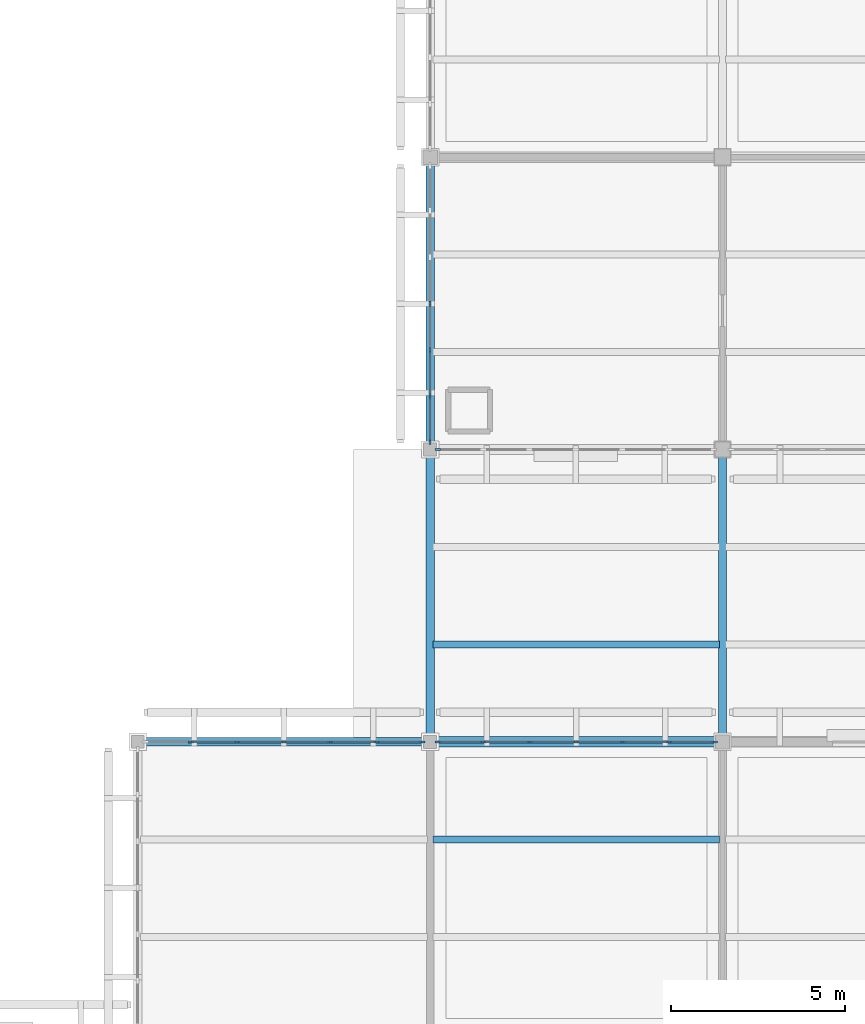
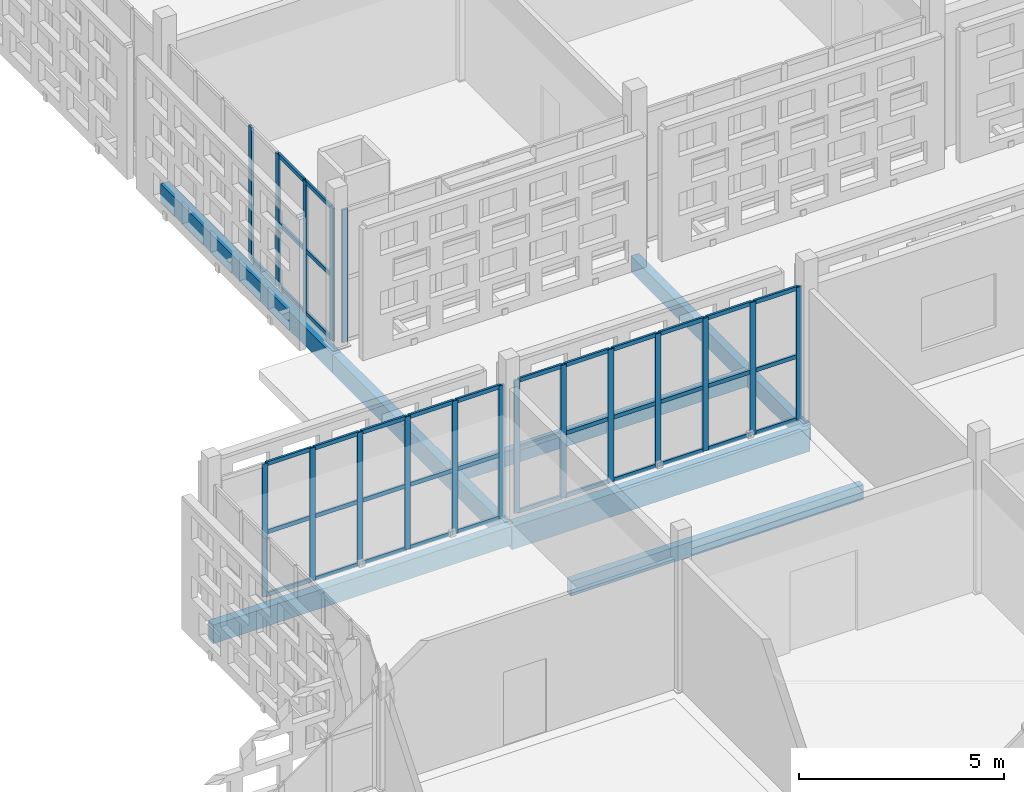
# One storey, part 72 of 203: 58 members, 7 beams, 4 elements without a shape of their own.
"""IFC4 building model written with IfcOpenShell, lengths in metres."""

from ifc_helpers import new_model, si_unit, direction, frame, origin, origin_2d, place, context, subcontext, project, spatial, rectangle, extrude, material, layer, layer_set, material_profile, profile_set, type_object, element, aggregate, save


model = new_model("IFC4")

# Units and contexts
model_context = context("Model", 3, precision=1e-05, world=origin(), true_north=direction((0.0, 1.0)))
body_context = subcontext(model_context, "Body", "Model", "MODEL_VIEW")
ifc_project = project(units=[si_unit("LENGTHUNIT", "METRE"), si_unit("AREAUNIT", "SQUARE_METRE"), si_unit("VOLUMEUNIT", "CUBIC_METRE"), si_unit("PLANEANGLEUNIT", "RADIAN"), si_unit("MASSUNIT", "GRAM", prefix="KILO")], contexts=[model_context])

# Site, building, storey
site_placement = place(None, origin())
site = spatial("IfcSite", under=ifc_project, at=site_placement, CompositionType="ELEMENT")
building_placement = place(site_placement, origin())
building = spatial("IfcBuilding", under=site, at=building_placement, Name="Varnapada Polytechnic", CompositionType="ELEMENT")
storey_placement = place(building_placement, frame((0.0, 0.0, 4.800048828125)))
storey = spatial("IfcBuildingStorey", under=building, at=storey_placement, Name="L01", CompositionType="ELEMENT", Elevation=4.800048828125)

# Beams
ifc_material_1 = material(Name="Glulam GL32h", Category="wood")
ifc_material_profile_1 = material_profile(ifc_material_1, rectangle(XDim=0.199951171875, YDim=0.43994140625, at=origin_2d()), Name="GL 200x440")
ifc_profile_set_1 = profile_set([ifc_material_profile_1], Name="Glulam GL32h")
beam_type_1 = type_object("IfcBeamType", Name="Heavy laboratory glulam joist GJ-03 (GL 200x440)", PredefinedType="JOIST", material=ifc_profile_set_1)
for number, where, z_axis, x_axis, name in (
    (1, (134.47998046875, 47.60009765625, -0.469970703125), (1.0, 0.0, 0.0), (0.0, 1.0, 0.0), "L01 floor joist 17/6.2"),
    (2, (134.47998046875, 53.199951171875, -0.489990234375), (1.0, 0.0, 0.0), (0.0, 1.0, 0.0), "L01 floor joist 17/7.1"),
):
    element("IfcBeam", number, at=place(storey_placement, frame(where, z_axis=z_axis, x_axis=x_axis)), inside=storey, type_object=beam_type_1, Name=name, PredefinedType="JOIST", context=body_context, shape_type="SweptSolid", body=[
        extrude(rectangle(XDim=0.199951171875, YDim=0.43994140625, at=origin_2d()), origin(), (0.0, 0.0, 1.0), 8.239990234375),
    ])

# Curtain wall, members
ifc_material_2 = material(Name="Double low-E laminated glass", Category="glass")
ifc_layer = layer(ifc_material_2, 0.159912109375)
ifc_layer_set = layer_set([ifc_layer], Name="Double low-E laminated glass")
curtain_wall_type = type_object("IfcCurtainWallType", Name="Curtain Wall CW-01", PredefinedType="NOTDEFINED", material=ifc_layer_set)
curtain_wall_1_placement = place(storey_placement, origin())
curtain_wall_1 = element("IfcCurtainWall", 3, at=curtain_wall_1_placement, inside=storey, type_object=curtain_wall_type, Name="L01 unitised curtain wall CW-01 (94)", PredefinedType="NOTDEFINED")
ifc_material_3 = material(Name="Anodised aluminium", Category="aluminium")
ifc_material_profile_2 = material_profile(ifc_material_3, rectangle(XDim=0.06005859375, YDim=0.159912109375, at=origin_2d()), Name="ALU M60x160")
ifc_profile_set_2 = profile_set([ifc_material_profile_2], Name="Anodised aluminium")
member_type_1 = type_object("IfcMemberType", Name="Mullion M-01", PredefinedType="MULLION", material=ifc_profile_set_2)
member_1_placement = place(storey_placement, frame((127.518310546875, 50.39990234375, 0.0), z_axis=(0.0, 0.0, 1.0), x_axis=(0.0, 1.0, 0.0)))
member_1 = element("IfcMember", 4, at=member_1_placement, type_object=member_type_1, Name="CW-01 mullion 2", PredefinedType="MULLION", context=body_context, shape_type="SweptSolid", body=[
    extrude(rectangle(XDim=0.06005859375, YDim=0.159912109375, at=origin_2d()), origin(), (0.0, 0.0, 1.0), 3.9599609375),
])
member_2_placement = place(storey_placement, frame((128.856689453125, 50.39990234375, 0.0), z_axis=(0.0, 0.0, 1.0), x_axis=(0.0, 1.0, 0.0)))
member_2 = element("IfcMember", 5, at=member_2_placement, type_object=member_type_1, Name="CW-01 mullion 3", PredefinedType="MULLION", context=body_context, shape_type="SweptSolid", body=[
    extrude(rectangle(XDim=0.06005859375, YDim=0.159912109375, at=origin_2d()), origin(), (0.0, 0.0, 1.0), 3.9599609375),
])
member_3_placement = place(storey_placement, frame((130.195068359375, 50.39990234375, 0.0), z_axis=(0.0, 0.0, 1.0), x_axis=(0.0, 1.0, 0.0)))
member_3 = element("IfcMember", 6, at=member_3_placement, type_object=member_type_1, Name="CW-01 mullion 4", PredefinedType="MULLION", context=body_context, shape_type="SweptSolid", body=[
    extrude(rectangle(XDim=0.06005859375, YDim=0.159912109375, at=origin_2d()), origin(), (0.0, 0.0, 1.0), 3.9599609375),
])
member_4_placement = place(storey_placement, frame((131.533447265625, 50.39990234375, 0.0), z_axis=(0.0, 0.0, 1.0), x_axis=(0.0, 1.0, 0.0)))
member_4 = element("IfcMember", 7, at=member_4_placement, type_object=member_type_1, Name="CW-01 mullion 5", PredefinedType="MULLION", context=body_context, shape_type="SweptSolid", body=[
    extrude(rectangle(XDim=0.06005859375, YDim=0.159912109375, at=origin_2d()), origin(), (0.0, 0.0, 1.0), 3.9599609375),
])
member_5_placement = place(storey_placement, frame((132.87158203125, 50.39990234375, 0.0), z_axis=(0.0, 0.0, 1.0), x_axis=(0.0, 1.0, 0.0)))
member_5 = element("IfcMember", 8, at=member_5_placement, type_object=member_type_1, Name="CW-01 mullion 6", PredefinedType="MULLION", context=body_context, shape_type="SweptSolid", body=[
    extrude(rectangle(XDim=0.06005859375, YDim=0.159912109375, at=origin_2d()), origin(), (0.0, 0.0, 1.0), 3.9599609375),
])
member_6_placement = place(storey_placement, frame((134.179931640625, 50.39990234375, 0.0), z_axis=(0.0, 0.0, 1.0), x_axis=(0.0, 1.0, 0.0)))
member_6 = element("IfcMember", 9, at=member_6_placement, type_object=member_type_1, Name="CW-01 mullion 7", PredefinedType="MULLION", context=body_context, shape_type="SweptSolid", body=[
    extrude(rectangle(XDim=0.06005859375, YDim=0.159912109375, at=origin_2d()), origin(), (0.0, 0.0, 1.0), 3.9599609375),
])

curtain_wall_2_placement = place(storey_placement, origin())
curtain_wall_2 = element("IfcCurtainWall", 10, at=curtain_wall_2_placement, inside=storey, type_object=curtain_wall_type, Name="L01 unitised curtain wall CW-01 (100)", PredefinedType="NOTDEFINED")
member_7_placement = place(storey_placement, frame((134.6201171875, 50.39990234375, 0.0), z_axis=(0.0, 0.0, 1.0), x_axis=(0.0, 1.0, 0.0)))
member_7 = element("IfcMember", 11, at=member_7_placement, type_object=member_type_1, Name="CW-01 mullion 1", PredefinedType="MULLION", context=body_context, shape_type="SweptSolid", body=[
    extrude(rectangle(XDim=0.06005859375, YDim=0.159912109375, at=origin_2d()), origin(), (0.0, 0.0, 1.0), 3.9599609375),
])
member_8_placement = place(storey_placement, frame((135.925048828125, 50.39990234375, 0.0), z_axis=(0.0, 0.0, 1.0), x_axis=(0.0, 1.0, 0.0)))
member_8 = element("IfcMember", 12, at=member_8_placement, type_object=member_type_1, Name="CW-01 mullion 2", PredefinedType="MULLION", context=body_context, shape_type="SweptSolid", body=[
    extrude(rectangle(XDim=0.06005859375, YDim=0.159912109375, at=origin_2d()), origin(), (0.0, 0.0, 1.0), 3.9599609375),
])
member_9_placement = place(storey_placement, frame((137.260009765625, 50.39990234375, 0.0), z_axis=(0.0, 0.0, 1.0), x_axis=(0.0, 1.0, 0.0)))
member_9 = element("IfcMember", 13, at=member_9_placement, type_object=member_type_1, Name="CW-01 mullion 3", PredefinedType="MULLION", context=body_context, shape_type="SweptSolid", body=[
    extrude(rectangle(XDim=0.06005859375, YDim=0.159912109375, at=origin_2d()), origin(), (0.0, 0.0, 1.0), 3.9599609375),
])
member_10_placement = place(storey_placement, frame((138.594970703125, 50.39990234375, 0.0), z_axis=(0.0, 0.0, 1.0), x_axis=(0.0, 1.0, 0.0)))
member_10 = element("IfcMember", 14, at=member_10_placement, type_object=member_type_1, Name="CW-01 mullion 4", PredefinedType="MULLION", context=body_context, shape_type="SweptSolid", body=[
    extrude(rectangle(XDim=0.06005859375, YDim=0.159912109375, at=origin_2d()), origin(), (0.0, 0.0, 1.0), 3.9599609375),
])
member_11_placement = place(storey_placement, frame((139.929931640625, 50.39990234375, 0.0), z_axis=(0.0, 0.0, 1.0), x_axis=(0.0, 1.0, 0.0)))
member_11 = element("IfcMember", 15, at=member_11_placement, type_object=member_type_1, Name="CW-01 mullion 5", PredefinedType="MULLION", context=body_context, shape_type="SweptSolid", body=[
    extrude(rectangle(XDim=0.06005859375, YDim=0.159912109375, at=origin_2d()), origin(), (0.0, 0.0, 1.0), 3.9599609375),
])
member_12_placement = place(storey_placement, frame((141.264892578125, 50.39990234375, 0.0), z_axis=(0.0, 0.0, 1.0), x_axis=(0.0, 1.0, 0.0)))
member_12 = element("IfcMember", 16, at=member_12_placement, type_object=member_type_1, Name="CW-01 mullion 6", PredefinedType="MULLION", context=body_context, shape_type="SweptSolid", body=[
    extrude(rectangle(XDim=0.06005859375, YDim=0.159912109375, at=origin_2d()), origin(), (0.0, 0.0, 1.0), 3.9599609375),
])
member_13_placement = place(storey_placement, frame((142.570068359375, 50.39990234375, 0.0), z_axis=(0.0, 0.0, 1.0), x_axis=(0.0, 1.0, 0.0)))
member_13 = element("IfcMember", 17, at=member_13_placement, type_object=member_type_1, Name="CW-01 mullion 7", PredefinedType="MULLION", context=body_context, shape_type="SweptSolid", body=[
    extrude(rectangle(XDim=0.06005859375, YDim=0.159912109375, at=origin_2d()), origin(), (0.0, 0.0, 1.0), 3.9599609375),
])

# Curtain wall, member
curtain_wall_3_placement = place(storey_placement, origin())
curtain_wall_3 = element("IfcCurtainWall", 18, at=curtain_wall_3_placement, inside=storey, type_object=curtain_wall_type, Name="L01 unitised curtain wall CW-01 (101)", PredefinedType="NOTDEFINED")
member_14_placement = place(storey_placement, frame((134.6201171875, 58.800048828125, 0.0), z_axis=(0.0, 0.0, 1.0), x_axis=(0.0, -1.0, 0.0)))
member_14 = element("IfcMember", 19, at=member_14_placement, type_object=member_type_1, Name="CW-01 mullion 7", PredefinedType="MULLION", context=body_context, shape_type="SweptSolid", body=[
    extrude(rectangle(XDim=0.06005859375, YDim=0.159912109375, at=origin_2d()), origin(), (0.0, 0.0, 1.0), 3.9599609375),
])
aggregate(curtain_wall_3, [member_14])

# Curtain wall, members
curtain_wall_4_placement = place(storey_placement, origin())
curtain_wall_4 = element("IfcCurtainWall", 20, at=curtain_wall_4_placement, inside=storey, type_object=curtain_wall_type, Name="L01 unitised curtain wall CW-01 (102)", PredefinedType="NOTDEFINED")
member_15_placement = place(storey_placement, frame((134.39990234375, 59.02001953125, 0.0), z_axis=(0.0, 0.0, 1.0), x_axis=(-1.0, 0.0, 0.0)))
member_15 = element("IfcMember", 21, at=member_15_placement, type_object=member_type_1, Name="CW-01 mullion 1", PredefinedType="MULLION", context=body_context, shape_type="SweptSolid", body=[
    extrude(rectangle(XDim=0.06005859375, YDim=0.159912109375, at=origin_2d()), origin(), (0.0, 0.0, 1.0), 3.9599609375),
])
member_16_placement = place(storey_placement, frame((134.39990234375, 60.3232421875, 0.0), z_axis=(0.0, 0.0, 1.0), x_axis=(-1.0, 0.0, 0.0)))
member_16 = element("IfcMember", 22, at=member_16_placement, type_object=member_type_1, Name="CW-01 mullion 2", PredefinedType="MULLION", context=body_context, shape_type="SweptSolid", body=[
    extrude(rectangle(XDim=0.06005859375, YDim=0.159912109375, at=origin_2d()), origin(), (0.0, 0.0, 1.0), 3.9599609375),
])
member_17_placement = place(storey_placement, frame((134.39990234375, 61.65673828125, 0.0), z_axis=(0.0, 0.0, 1.0), x_axis=(-1.0, 0.0, 0.0)))
member_17 = element("IfcMember", 23, at=member_17_placement, type_object=member_type_1, Name="CW-01 mullion 3", PredefinedType="MULLION", context=body_context, shape_type="SweptSolid", body=[
    extrude(rectangle(XDim=0.06005859375, YDim=0.159912109375, at=origin_2d()), origin(), (0.0, 0.0, 1.0), 3.9599609375),
])
member_18_placement = place(storey_placement, frame((134.39990234375, 62.989990234375, 0.0), z_axis=(0.0, 0.0, 1.0), x_axis=(-1.0, 0.0, 0.0)))
member_18 = element("IfcMember", 24, at=member_18_placement, type_object=member_type_1, Name="CW-01 mullion 4", PredefinedType="MULLION", context=body_context, shape_type="SweptSolid", body=[
    extrude(rectangle(XDim=0.06005859375, YDim=0.159912109375, at=origin_2d()), origin(), (0.0, 0.0, 1.0), 3.9599609375),
])

# Beams
ifc_material_profile_3 = material_profile(ifc_material_1, rectangle(XDim=0.239990234375, YDim=0.56005859375, at=origin_2d()), Name="GL 240x560")
ifc_profile_set_3 = profile_set([ifc_material_profile_3], Name="Glulam GL32h")
beam_type_2 = type_object("IfcBeamType", Name="Perimeter glulam spandrel beam SP-02 (GL 240x560)", PredefinedType="SPANDREL", material=ifc_profile_set_3)
beam_1_placement = place(storey_placement, frame((126.0, 50.39990234375, -0.550048828125), z_axis=(1.0, 0.0, 0.0), x_axis=(0.0, 1.0, 0.0)))
element("IfcBeam", 25, at=beam_1_placement, inside=storey, type_object=beam_type_2, Name="L01 beam X 16-17 at Y7", PredefinedType="SPANDREL", context=body_context, shape_type="SweptSolid", body=[
    extrude(rectangle(XDim=0.239990234375, YDim=0.56005859375, at=origin_2d()), origin(), (0.0, 0.0, 1.0), 8.39990234375),
])
beam_2_placement = place(storey_placement, frame((134.39990234375, 50.39990234375, -0.550048828125), z_axis=(0.0, 1.0, 0.0), x_axis=(-1.0, 0.0, 0.0)))
element("IfcBeam", 26, at=beam_2_placement, inside=storey, type_object=beam_type_2, Name="L01 beam Y 7-8 at X17", PredefinedType="SPANDREL", context=body_context, shape_type="SweptSolid", body=[
    extrude(rectangle(XDim=0.239990234375, YDim=0.56005859375, at=origin_2d()), origin(), (0.0, 0.0, 1.0), 8.400146484375),
])
beam_3_placement = place(storey_placement, frame((134.39990234375, 58.800048828125, -0.550048828125), z_axis=(0.0, 1.0, 0.0), x_axis=(-1.0, 0.0, 0.0)))
element("IfcBeam", 27, at=beam_3_placement, inside=storey, type_object=beam_type_2, Name="L01 beam Y 8-9 at X17", PredefinedType="SPANDREL", context=body_context, shape_type="SweptSolid", body=[
    extrude(rectangle(XDim=0.239990234375, YDim=0.56005859375, at=origin_2d()), origin(), (0.0, 0.0, 1.0), 8.39990234375),
])

# Member
ifc_material_profile_4 = material_profile(ifc_material_3, rectangle(XDim=0.06005859375, YDim=0.1201171875, at=origin_2d()), Name="ALU T60x120")
ifc_profile_set_4 = profile_set([ifc_material_profile_4], Name="Anodised aluminium")
member_type_2 = type_object("IfcMemberType", Name="Transom T-01", PredefinedType="USERDEFINED", material=ifc_profile_set_4)
member_19_placement = place(storey_placement, frame((127.54833984375, 50.39990234375, 0.030029296875), z_axis=(1.0, 0.0, 0.0), x_axis=(0.0, 1.0, 0.0)))
member_19 = element("IfcMember", 28, at=member_19_placement, type_object=member_type_2, Name="CW-01 transom 2.1", ObjectType="TRANSOM", PredefinedType="USERDEFINED", context=body_context, shape_type="SweptSolid", body=[
    extrude(rectangle(XDim=0.06005859375, YDim=0.1201171875, at=origin_2d()), origin(), (0.0, 0.0, 1.0), 1.2783203125),
])

member_20_placement = place(storey_placement, frame((127.54833984375, 50.39990234375, 1.900634765625), z_axis=(1.0, 0.0, 0.0), x_axis=(0.0, 1.0, 0.0)))
member_20 = element("IfcMember", 29, at=member_20_placement, type_object=member_type_2, Name="CW-01 transom 2.2", ObjectType="TRANSOM", PredefinedType="USERDEFINED", context=body_context, shape_type="SweptSolid", body=[
    extrude(rectangle(XDim=0.06005859375, YDim=0.1201171875, at=origin_2d()), origin(), (0.0, 0.0, 1.0), 1.2783203125),
])

member_21_placement = place(storey_placement, frame((127.54833984375, 50.39990234375, 3.929931640625), z_axis=(1.0, 0.0, 0.0), x_axis=(0.0, 1.0, 0.0)))
member_21 = element("IfcMember", 30, at=member_21_placement, type_object=member_type_2, Name="CW-01 transom 2.3", ObjectType="TRANSOM", PredefinedType="USERDEFINED", context=body_context, shape_type="SweptSolid", body=[
    extrude(rectangle(XDim=0.06005859375, YDim=0.1201171875, at=origin_2d()), origin(), (0.0, 0.0, 1.0), 1.2783203125),
])

member_22_placement = place(storey_placement, frame((128.88671875, 50.39990234375, 0.030029296875), z_axis=(1.0, 0.0, 0.0), x_axis=(0.0, 1.0, 0.0)))
member_22 = element("IfcMember", 31, at=member_22_placement, type_object=member_type_2, Name="CW-01 transom 3.1", ObjectType="TRANSOM", PredefinedType="USERDEFINED", context=body_context, shape_type="SweptSolid", body=[
    extrude(rectangle(XDim=0.06005859375, YDim=0.1201171875, at=origin_2d()), origin(), (0.0, 0.0, 1.0), 1.2783203125),
])

member_23_placement = place(storey_placement, frame((128.88671875, 50.39990234375, 1.900634765625), z_axis=(1.0, 0.0, 0.0), x_axis=(0.0, 1.0, 0.0)))
member_23 = element("IfcMember", 32, at=member_23_placement, type_object=member_type_2, Name="CW-01 transom 3.2", ObjectType="TRANSOM", PredefinedType="USERDEFINED", context=body_context, shape_type="SweptSolid", body=[
    extrude(rectangle(XDim=0.06005859375, YDim=0.1201171875, at=origin_2d()), origin(), (0.0, 0.0, 1.0), 1.2783203125),
])

member_24_placement = place(storey_placement, frame((128.88671875, 50.39990234375, 3.929931640625), z_axis=(1.0, 0.0, 0.0), x_axis=(0.0, 1.0, 0.0)))
member_24 = element("IfcMember", 33, at=member_24_placement, type_object=member_type_2, Name="CW-01 transom 3.3", ObjectType="TRANSOM", PredefinedType="USERDEFINED", context=body_context, shape_type="SweptSolid", body=[
    extrude(rectangle(XDim=0.06005859375, YDim=0.1201171875, at=origin_2d()), origin(), (0.0, 0.0, 1.0), 1.2783203125),
])

member_25_placement = place(storey_placement, frame((130.22509765625, 50.39990234375, 0.030029296875), z_axis=(1.0, 0.0, 0.0), x_axis=(0.0, 1.0, 0.0)))
member_25 = element("IfcMember", 34, at=member_25_placement, type_object=member_type_2, Name="CW-01 transom 4.1", ObjectType="TRANSOM", PredefinedType="USERDEFINED", context=body_context, shape_type="SweptSolid", body=[
    extrude(rectangle(XDim=0.06005859375, YDim=0.1201171875, at=origin_2d()), origin(), (0.0, 0.0, 1.0), 1.2783203125),
])

member_26_placement = place(storey_placement, frame((130.22509765625, 50.39990234375, 1.900634765625), z_axis=(1.0, 0.0, 0.0), x_axis=(0.0, 1.0, 0.0)))
member_26 = element("IfcMember", 35, at=member_26_placement, type_object=member_type_2, Name="CW-01 transom 4.2", ObjectType="TRANSOM", PredefinedType="USERDEFINED", context=body_context, shape_type="SweptSolid", body=[
    extrude(rectangle(XDim=0.06005859375, YDim=0.1201171875, at=origin_2d()), origin(), (0.0, 0.0, 1.0), 1.2783203125),
])

member_27_placement = place(storey_placement, frame((130.22509765625, 50.39990234375, 3.929931640625), z_axis=(1.0, 0.0, 0.0), x_axis=(0.0, 1.0, 0.0)))
member_27 = element("IfcMember", 36, at=member_27_placement, type_object=member_type_2, Name="CW-01 transom 4.3", ObjectType="TRANSOM", PredefinedType="USERDEFINED", context=body_context, shape_type="SweptSolid", body=[
    extrude(rectangle(XDim=0.06005859375, YDim=0.1201171875, at=origin_2d()), origin(), (0.0, 0.0, 1.0), 1.2783203125),
])

member_28_placement = place(storey_placement, frame((131.563232421875, 50.39990234375, 0.030029296875), z_axis=(1.0, 0.0, 0.0), x_axis=(0.0, 1.0, 0.0)))
member_28 = element("IfcMember", 37, at=member_28_placement, type_object=member_type_2, Name="CW-01 transom 5.1", ObjectType="TRANSOM", PredefinedType="USERDEFINED", context=body_context, shape_type="SweptSolid", body=[
    extrude(rectangle(XDim=0.06005859375, YDim=0.1201171875, at=origin_2d()), origin(), (0.0, 0.0, 1.0), 1.2783203125),
])

member_29_placement = place(storey_placement, frame((131.563232421875, 50.39990234375, 1.900634765625), z_axis=(1.0, 0.0, 0.0), x_axis=(0.0, 1.0, 0.0)))
member_29 = element("IfcMember", 38, at=member_29_placement, type_object=member_type_2, Name="CW-01 transom 5.2", ObjectType="TRANSOM", PredefinedType="USERDEFINED", context=body_context, shape_type="SweptSolid", body=[
    extrude(rectangle(XDim=0.06005859375, YDim=0.1201171875, at=origin_2d()), origin(), (0.0, 0.0, 1.0), 1.2783203125),
])

member_30_placement = place(storey_placement, frame((131.563232421875, 50.39990234375, 3.929931640625), z_axis=(1.0, 0.0, 0.0), x_axis=(0.0, 1.0, 0.0)))
member_30 = element("IfcMember", 39, at=member_30_placement, type_object=member_type_2, Name="CW-01 transom 5.3", ObjectType="TRANSOM", PredefinedType="USERDEFINED", context=body_context, shape_type="SweptSolid", body=[
    extrude(rectangle(XDim=0.06005859375, YDim=0.1201171875, at=origin_2d()), origin(), (0.0, 0.0, 1.0), 1.2783203125),
])

member_31_placement = place(storey_placement, frame((132.901611328125, 50.39990234375, 0.030029296875), z_axis=(1.0, 0.0, 0.0), x_axis=(0.0, 1.0, 0.0)))
member_31 = element("IfcMember", 40, at=member_31_placement, type_object=member_type_2, Name="CW-01 transom 6.1", ObjectType="TRANSOM", PredefinedType="USERDEFINED", context=body_context, shape_type="SweptSolid", body=[
    extrude(rectangle(XDim=0.06005859375, YDim=0.1201171875, at=origin_2d()), origin(), (0.0, 0.0, 1.0), 1.248291015625),
])

member_32_placement = place(storey_placement, frame((132.901611328125, 50.39990234375, 1.900634765625), z_axis=(1.0, 0.0, 0.0), x_axis=(0.0, 1.0, 0.0)))
member_32 = element("IfcMember", 41, at=member_32_placement, type_object=member_type_2, Name="CW-01 transom 6.2", ObjectType="TRANSOM", PredefinedType="USERDEFINED", context=body_context, shape_type="SweptSolid", body=[
    extrude(rectangle(XDim=0.06005859375, YDim=0.1201171875, at=origin_2d()), origin(), (0.0, 0.0, 1.0), 1.248291015625),
])

member_33_placement = place(storey_placement, frame((132.901611328125, 50.39990234375, 3.929931640625), z_axis=(1.0, 0.0, 0.0), x_axis=(0.0, 1.0, 0.0)))
member_33 = element("IfcMember", 42, at=member_33_placement, type_object=member_type_2, Name="CW-01 transom 6.3", ObjectType="TRANSOM", PredefinedType="USERDEFINED", context=body_context, shape_type="SweptSolid", body=[
    extrude(rectangle(XDim=0.06005859375, YDim=0.1201171875, at=origin_2d()), origin(), (0.0, 0.0, 1.0), 1.248291015625),
])

aggregate(curtain_wall_1, [member_1, member_2, member_3, member_4, member_5, member_6, member_19, member_20, member_21, member_22, member_23, member_24, member_25, member_26, member_27, member_28, member_29, member_30, member_31, member_32, member_33])

member_34_placement = place(storey_placement, frame((134.64990234375, 50.39990234375, 0.030029296875), z_axis=(1.0, 0.0, 0.0), x_axis=(0.0, 1.0, 0.0)))
member_34 = element("IfcMember", 43, at=member_34_placement, type_object=member_type_2, Name="CW-01 transom 1.1", ObjectType="TRANSOM", PredefinedType="USERDEFINED", context=body_context, shape_type="SweptSolid", body=[
    extrude(rectangle(XDim=0.06005859375, YDim=0.1201171875, at=origin_2d()), origin(), (0.0, 0.0, 1.0), 1.2451171875),
])

member_35_placement = place(storey_placement, frame((134.64990234375, 50.39990234375, 1.900634765625), z_axis=(1.0, 0.0, 0.0), x_axis=(0.0, 1.0, 0.0)))
member_35 = element("IfcMember", 44, at=member_35_placement, type_object=member_type_2, Name="CW-01 transom 1.2", ObjectType="TRANSOM", PredefinedType="USERDEFINED", context=body_context, shape_type="SweptSolid", body=[
    extrude(rectangle(XDim=0.06005859375, YDim=0.1201171875, at=origin_2d()), origin(), (0.0, 0.0, 1.0), 1.2451171875),
])

member_36_placement = place(storey_placement, frame((134.64990234375, 50.39990234375, 3.929931640625), z_axis=(1.0, 0.0, 0.0), x_axis=(0.0, 1.0, 0.0)))
member_36 = element("IfcMember", 45, at=member_36_placement, type_object=member_type_2, Name="CW-01 transom 1.3", ObjectType="TRANSOM", PredefinedType="USERDEFINED", context=body_context, shape_type="SweptSolid", body=[
    extrude(rectangle(XDim=0.06005859375, YDim=0.1201171875, at=origin_2d()), origin(), (0.0, 0.0, 1.0), 1.2451171875),
])

member_37_placement = place(storey_placement, frame((135.955078125, 50.39990234375, 0.030029296875), z_axis=(1.0, 0.0, 0.0), x_axis=(0.0, 1.0, 0.0)))
member_37 = element("IfcMember", 46, at=member_37_placement, type_object=member_type_2, Name="CW-01 transom 2.1", ObjectType="TRANSOM", PredefinedType="USERDEFINED", context=body_context, shape_type="SweptSolid", body=[
    extrude(rectangle(XDim=0.06005859375, YDim=0.1201171875, at=origin_2d()), origin(), (0.0, 0.0, 1.0), 1.27490234375),
])

member_38_placement = place(storey_placement, frame((135.955078125, 50.39990234375, 1.900634765625), z_axis=(1.0, 0.0, 0.0), x_axis=(0.0, 1.0, 0.0)))
member_38 = element("IfcMember", 47, at=member_38_placement, type_object=member_type_2, Name="CW-01 transom 2.2", ObjectType="TRANSOM", PredefinedType="USERDEFINED", context=body_context, shape_type="SweptSolid", body=[
    extrude(rectangle(XDim=0.06005859375, YDim=0.1201171875, at=origin_2d()), origin(), (0.0, 0.0, 1.0), 1.27490234375),
])

member_39_placement = place(storey_placement, frame((135.955078125, 50.39990234375, 3.929931640625), z_axis=(1.0, 0.0, 0.0), x_axis=(0.0, 1.0, 0.0)))
member_39 = element("IfcMember", 48, at=member_39_placement, type_object=member_type_2, Name="CW-01 transom 2.3", ObjectType="TRANSOM", PredefinedType="USERDEFINED", context=body_context, shape_type="SweptSolid", body=[
    extrude(rectangle(XDim=0.06005859375, YDim=0.1201171875, at=origin_2d()), origin(), (0.0, 0.0, 1.0), 1.27490234375),
])

member_40_placement = place(storey_placement, frame((137.2900390625, 50.39990234375, 0.030029296875), z_axis=(1.0, 0.0, 0.0), x_axis=(0.0, 1.0, 0.0)))
member_40 = element("IfcMember", 49, at=member_40_placement, type_object=member_type_2, Name="CW-01 transom 3.1", ObjectType="TRANSOM", PredefinedType="USERDEFINED", context=body_context, shape_type="SweptSolid", body=[
    extrude(rectangle(XDim=0.06005859375, YDim=0.1201171875, at=origin_2d()), origin(), (0.0, 0.0, 1.0), 1.27490234375),
])

member_41_placement = place(storey_placement, frame((137.2900390625, 50.39990234375, 1.900634765625), z_axis=(1.0, 0.0, 0.0), x_axis=(0.0, 1.0, 0.0)))
member_41 = element("IfcMember", 50, at=member_41_placement, type_object=member_type_2, Name="CW-01 transom 3.2", ObjectType="TRANSOM", PredefinedType="USERDEFINED", context=body_context, shape_type="SweptSolid", body=[
    extrude(rectangle(XDim=0.06005859375, YDim=0.1201171875, at=origin_2d()), origin(), (0.0, 0.0, 1.0), 1.27490234375),
])

member_42_placement = place(storey_placement, frame((137.2900390625, 50.39990234375, 3.929931640625), z_axis=(1.0, 0.0, 0.0), x_axis=(0.0, 1.0, 0.0)))
member_42 = element("IfcMember", 51, at=member_42_placement, type_object=member_type_2, Name="CW-01 transom 3.3", ObjectType="TRANSOM", PredefinedType="USERDEFINED", context=body_context, shape_type="SweptSolid", body=[
    extrude(rectangle(XDim=0.06005859375, YDim=0.1201171875, at=origin_2d()), origin(), (0.0, 0.0, 1.0), 1.27490234375),
])

member_43_placement = place(storey_placement, frame((138.625, 50.39990234375, 0.030029296875), z_axis=(1.0, 0.0, 0.0), x_axis=(0.0, 1.0, 0.0)))
member_43 = element("IfcMember", 52, at=member_43_placement, type_object=member_type_2, Name="CW-01 transom 4.1", ObjectType="TRANSOM", PredefinedType="USERDEFINED", context=body_context, shape_type="SweptSolid", body=[
    extrude(rectangle(XDim=0.06005859375, YDim=0.1201171875, at=origin_2d()), origin(), (0.0, 0.0, 1.0), 1.27490234375),
])

member_44_placement = place(storey_placement, frame((138.625, 50.39990234375, 1.900634765625), z_axis=(1.0, 0.0, 0.0), x_axis=(0.0, 1.0, 0.0)))
member_44 = element("IfcMember", 53, at=member_44_placement, type_object=member_type_2, Name="CW-01 transom 4.2", ObjectType="TRANSOM", PredefinedType="USERDEFINED", context=body_context, shape_type="SweptSolid", body=[
    extrude(rectangle(XDim=0.06005859375, YDim=0.1201171875, at=origin_2d()), origin(), (0.0, 0.0, 1.0), 1.27490234375),
])

member_45_placement = place(storey_placement, frame((138.625, 50.39990234375, 3.929931640625), z_axis=(1.0, 0.0, 0.0), x_axis=(0.0, 1.0, 0.0)))
member_45 = element("IfcMember", 54, at=member_45_placement, type_object=member_type_2, Name="CW-01 transom 4.3", ObjectType="TRANSOM", PredefinedType="USERDEFINED", context=body_context, shape_type="SweptSolid", body=[
    extrude(rectangle(XDim=0.06005859375, YDim=0.1201171875, at=origin_2d()), origin(), (0.0, 0.0, 1.0), 1.27490234375),
])

member_46_placement = place(storey_placement, frame((139.9599609375, 50.39990234375, 0.030029296875), z_axis=(1.0, 0.0, 0.0), x_axis=(0.0, 1.0, 0.0)))
member_46 = element("IfcMember", 55, at=member_46_placement, type_object=member_type_2, Name="CW-01 transom 5.1", ObjectType="TRANSOM", PredefinedType="USERDEFINED", context=body_context, shape_type="SweptSolid", body=[
    extrude(rectangle(XDim=0.06005859375, YDim=0.1201171875, at=origin_2d()), origin(), (0.0, 0.0, 1.0), 1.275146484375),
])

member_47_placement = place(storey_placement, frame((139.9599609375, 50.39990234375, 1.900634765625), z_axis=(1.0, 0.0, 0.0), x_axis=(0.0, 1.0, 0.0)))
member_47 = element("IfcMember", 56, at=member_47_placement, type_object=member_type_2, Name="CW-01 transom 5.2", ObjectType="TRANSOM", PredefinedType="USERDEFINED", context=body_context, shape_type="SweptSolid", body=[
    extrude(rectangle(XDim=0.06005859375, YDim=0.1201171875, at=origin_2d()), origin(), (0.0, 0.0, 1.0), 1.275146484375),
])

member_48_placement = place(storey_placement, frame((139.9599609375, 50.39990234375, 3.929931640625), z_axis=(1.0, 0.0, 0.0), x_axis=(0.0, 1.0, 0.0)))
member_48 = element("IfcMember", 57, at=member_48_placement, type_object=member_type_2, Name="CW-01 transom 5.3", ObjectType="TRANSOM", PredefinedType="USERDEFINED", context=body_context, shape_type="SweptSolid", body=[
    extrude(rectangle(XDim=0.06005859375, YDim=0.1201171875, at=origin_2d()), origin(), (0.0, 0.0, 1.0), 1.275146484375),
])

member_49_placement = place(storey_placement, frame((141.294921875, 50.39990234375, 0.030029296875), z_axis=(1.0, 0.0, 0.0), x_axis=(0.0, 1.0, 0.0)))
member_49 = element("IfcMember", 58, at=member_49_placement, type_object=member_type_2, Name="CW-01 transom 6.1", ObjectType="TRANSOM", PredefinedType="USERDEFINED", context=body_context, shape_type="SweptSolid", body=[
    extrude(rectangle(XDim=0.06005859375, YDim=0.1201171875, at=origin_2d()), origin(), (0.0, 0.0, 1.0), 1.2451171875),
])

member_50_placement = place(storey_placement, frame((141.294921875, 50.39990234375, 1.900634765625), z_axis=(1.0, 0.0, 0.0), x_axis=(0.0, 1.0, 0.0)))
member_50 = element("IfcMember", 59, at=member_50_placement, type_object=member_type_2, Name="CW-01 transom 6.2", ObjectType="TRANSOM", PredefinedType="USERDEFINED", context=body_context, shape_type="SweptSolid", body=[
    extrude(rectangle(XDim=0.06005859375, YDim=0.1201171875, at=origin_2d()), origin(), (0.0, 0.0, 1.0), 1.2451171875),
])

member_51_placement = place(storey_placement, frame((141.294921875, 50.39990234375, 3.929931640625), z_axis=(1.0, 0.0, 0.0), x_axis=(0.0, 1.0, 0.0)))
member_51 = element("IfcMember", 60, at=member_51_placement, type_object=member_type_2, Name="CW-01 transom 6.3", ObjectType="TRANSOM", PredefinedType="USERDEFINED", context=body_context, shape_type="SweptSolid", body=[
    extrude(rectangle(XDim=0.06005859375, YDim=0.1201171875, at=origin_2d()), origin(), (0.0, 0.0, 1.0), 1.2451171875),
])

aggregate(curtain_wall_2, [member_7, member_8, member_9, member_10, member_11, member_12, member_13, member_34, member_35, member_36, member_37, member_38, member_39, member_40, member_41, member_42, member_43, member_44, member_45, member_46, member_47, member_48, member_49, member_50, member_51])

member_52_placement = place(storey_placement, frame((134.39990234375, 59.050048828125, 0.030029296875), z_axis=(0.0, 1.0, 0.0), x_axis=(-1.0, 0.0, 0.0)))
member_52 = element("IfcMember", 61, at=member_52_placement, type_object=member_type_2, Name="CW-01 transom 1.1", ObjectType="TRANSOM", PredefinedType="USERDEFINED", context=body_context, shape_type="SweptSolid", body=[
    extrude(rectangle(XDim=0.06005859375, YDim=0.1201171875, at=origin_2d()), origin(), (0.0, 0.0, 1.0), 1.2431640625),
])

member_53_placement = place(storey_placement, frame((134.39990234375, 59.050048828125, 1.900634765625), z_axis=(0.0, 1.0, 0.0), x_axis=(-1.0, 0.0, 0.0)))
member_53 = element("IfcMember", 62, at=member_53_placement, type_object=member_type_2, Name="CW-01 transom 1.2", ObjectType="TRANSOM", PredefinedType="USERDEFINED", context=body_context, shape_type="SweptSolid", body=[
    extrude(rectangle(XDim=0.06005859375, YDim=0.1201171875, at=origin_2d()), origin(), (0.0, 0.0, 1.0), 1.2431640625),
])

member_54_placement = place(storey_placement, frame((134.39990234375, 59.050048828125, 3.929931640625), z_axis=(0.0, 1.0, 0.0), x_axis=(-1.0, 0.0, 0.0)))
member_54 = element("IfcMember", 63, at=member_54_placement, type_object=member_type_2, Name="CW-01 transom 1.3", ObjectType="TRANSOM", PredefinedType="USERDEFINED", context=body_context, shape_type="SweptSolid", body=[
    extrude(rectangle(XDim=0.06005859375, YDim=0.1201171875, at=origin_2d()), origin(), (0.0, 0.0, 1.0), 1.2431640625),
])

member_55_placement = place(storey_placement, frame((134.39990234375, 60.353271484375, 0.030029296875), z_axis=(0.0, 1.0, 0.0), x_axis=(-1.0, 0.0, 0.0)))
member_55 = element("IfcMember", 64, at=member_55_placement, type_object=member_type_2, Name="CW-01 transom 2.1", ObjectType="TRANSOM", PredefinedType="USERDEFINED", context=body_context, shape_type="SweptSolid", body=[
    extrude(rectangle(XDim=0.06005859375, YDim=0.1201171875, at=origin_2d()), origin(), (0.0, 0.0, 1.0), 1.2734375),
])

member_56_placement = place(storey_placement, frame((134.39990234375, 60.353271484375, 1.900634765625), z_axis=(0.0, 1.0, 0.0), x_axis=(-1.0, 0.0, 0.0)))
member_56 = element("IfcMember", 65, at=member_56_placement, type_object=member_type_2, Name="CW-01 transom 2.2", ObjectType="TRANSOM", PredefinedType="USERDEFINED", context=body_context, shape_type="SweptSolid", body=[
    extrude(rectangle(XDim=0.06005859375, YDim=0.1201171875, at=origin_2d()), origin(), (0.0, 0.0, 1.0), 1.2734375),
])

member_57_placement = place(storey_placement, frame((134.39990234375, 60.353271484375, 3.929931640625), z_axis=(0.0, 1.0, 0.0), x_axis=(-1.0, 0.0, 0.0)))
member_57 = element("IfcMember", 66, at=member_57_placement, type_object=member_type_2, Name="CW-01 transom 2.3", ObjectType="TRANSOM", PredefinedType="USERDEFINED", context=body_context, shape_type="SweptSolid", body=[
    extrude(rectangle(XDim=0.06005859375, YDim=0.1201171875, at=origin_2d()), origin(), (0.0, 0.0, 1.0), 1.2734375),
])

member_58_placement = place(storey_placement, frame((134.39990234375, 61.686767578125, 0.030029296875), z_axis=(0.0, 1.0, 0.0), x_axis=(-1.0, 0.0, 0.0)))
member_58 = element("IfcMember", 67, at=member_58_placement, type_object=member_type_2, Name="CW-01 transom 3.1", ObjectType="TRANSOM", PredefinedType="USERDEFINED", context=body_context, shape_type="SweptSolid", body=[
    extrude(rectangle(XDim=0.06005859375, YDim=0.1201171875, at=origin_2d()), origin(), (0.0, 0.0, 1.0), 1.273193359375),
])

aggregate(curtain_wall_4, [member_15, member_16, member_17, member_18, member_52, member_53, member_54, member_55, member_56, member_57, member_58])

# Beams
ifc_material_profile_5 = material_profile(ifc_material_1, rectangle(XDim=0.219970703125, YDim=0.47998046875, at=origin_2d()), Name="GL 220x480")
ifc_profile_set_5 = profile_set([ifc_material_profile_5], Name="Glulam GL32h")
beam_type_3 = type_object("IfcBeamType", Name="Upper floor glulam tie beam GB-11 (GL 220x480)", PredefinedType="BEAM", material=ifc_profile_set_5)
beam_4_placement = place(storey_placement, frame((142.800048828125, 50.39990234375, -0.510009765625), z_axis=(0.0, 1.0, 0.0), x_axis=(-1.0, 0.0, 0.0)))
element("IfcBeam", 68, at=beam_4_placement, inside=storey, type_object=beam_type_3, Name="L01 beam Y 7-8 at X18", PredefinedType="BEAM", context=body_context, shape_type="SweptSolid", body=[
    extrude(rectangle(XDim=0.219970703125, YDim=0.47998046875, at=origin_2d()), origin(), (0.0, 0.0, 1.0), 8.400146484375),
])
ifc_material_profile_6 = material_profile(ifc_material_1, rectangle(XDim=0.300048828125, YDim=0.679931640625, at=origin_2d()), Name="GL 300x680")
ifc_profile_set_6 = profile_set([ifc_material_profile_6], Name="Glulam GL32h")
beam_type_4 = type_object("IfcBeamType", Name="Wet laboratory glulam girder GG-04 (GL 300x680)", PredefinedType="BEAM", material=ifc_profile_set_6)
beam_5_placement = place(storey_placement, frame((134.39990234375, 50.39990234375, -0.610107421875), z_axis=(1.0, 0.0, 0.0), x_axis=(0.0, 1.0, 0.0)))
element("IfcBeam", 69, at=beam_5_placement, inside=storey, type_object=beam_type_4, Name="L01 beam X 17-18 at Y7", PredefinedType="BEAM", context=body_context, shape_type="SweptSolid", body=[
    extrude(rectangle(XDim=0.300048828125, YDim=0.679931640625, at=origin_2d()), origin(), (0.0, 0.0, 1.0), 8.400146484375),
])

save(model, "model.ifc")
